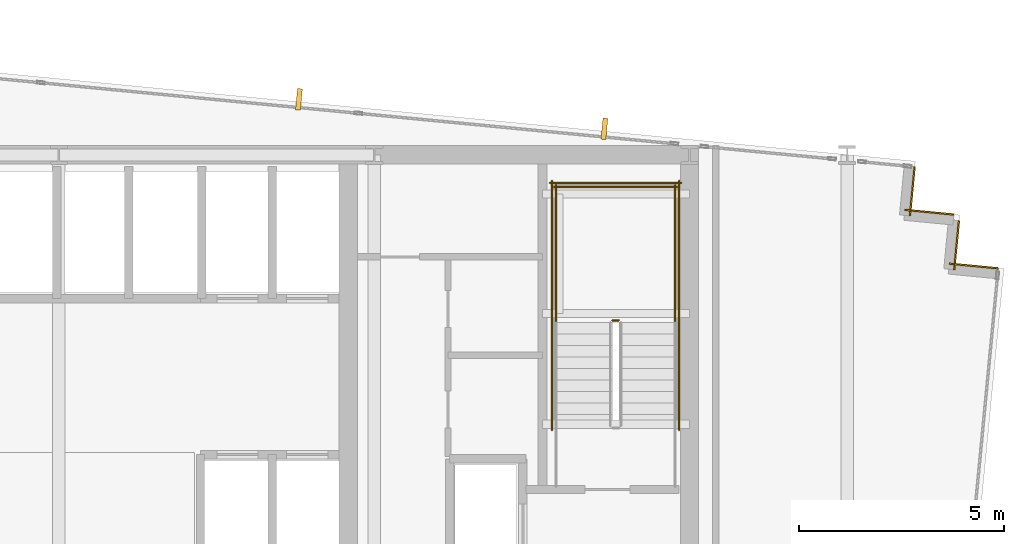
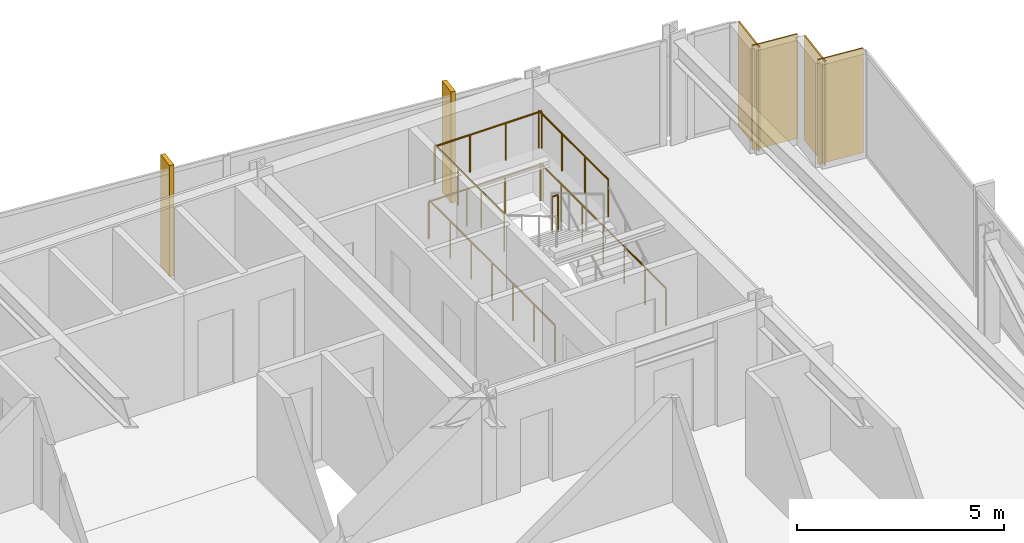
# One storey, part 38 of 38: 7 railings, 4 coverings, 2 shading devices.
"""IFC4 building model written with IfcOpenShell, lengths in metres."""

from ifc_helpers import new_model, si_unit, direction, frame, frame_2d, origin, origin_2d, place, context, subcontext, project, spatial, rectangle, circle, extrude, material, layer, layer_set, type_object, element, save


model = new_model("IFC4")

# Units and contexts
model_context = context("Model", 3, precision=1e-05, world=origin(), true_north=direction((0.0, 1.0)))
body_context = subcontext(model_context, "Body", "Model", "MODEL_VIEW")
ifc_project = project(units=[si_unit("LENGTHUNIT", "METRE"), si_unit("AREAUNIT", "SQUARE_METRE"), si_unit("VOLUMEUNIT", "CUBIC_METRE"), si_unit("PLANEANGLEUNIT", "RADIAN"), si_unit("MASSUNIT", "GRAM", prefix="KILO")], contexts=[model_context])

# Site, building, storey
site_placement = place(None, origin())
site = spatial("IfcSite", under=ifc_project, at=site_placement, CompositionType="ELEMENT")
building_placement = place(site_placement, origin())
building = spatial("IfcBuilding", under=site, at=building_placement, Name="Yelkora Congress Tower", CompositionType="ELEMENT")
storey_placement = place(building_placement, frame((0.0, 0.0, 185.300048828125)))
storey = spatial("IfcBuildingStorey", under=building, at=storey_placement, Name="L51", CompositionType="ELEMENT", Elevation=185.300048828125)

# Coverings
ifc_material_1 = material(Name="Anatolian bush-hammered limestone", Category="masonry")
ifc_layer_1 = layer(ifc_material_1, 0.0400390625)
ifc_layer_set_1 = layer_set([ifc_layer_1], Name="Anatolian bush-hammered limestone")
covering_type = type_object("IfcCoveringType", Name="COV-CLAD-SPANDREL-40", PredefinedType="CLADDING", material=ifc_layer_set_1)
covering_1_placement = place(storey_placement, frame((59.2431640625, 45.909912109375, 0.0), z_axis=(0.0, 0.0, 1.0), x_axis=(-0.095836473879, -0.995397091755, 0.0)))
element("IfcCovering", 1, at=covering_1_placement, inside=storey, type_object=covering_type, Name="L51 Anatolian Limestone Cladding EW-L51-SR11", PredefinedType="CLADDING", context=body_context, shape_type="SweptSolid", body=[
    extrude(rectangle(XDim=1.199951171875, YDim=0.0400390625, at=frame_2d((0.60009765625, 0.0))), origin(), (0.0, 0.0, 1.0), 3.079833984375),
])
for number, where, z_axis, x_axis, name in (
    (2, (59.006591796875, 44.86279296875, 0.0), (0.0, 0.0, 1.0), (0.995398960025, -0.095817067274, 0.0), "L51 Anatolian Limestone Cladding EW-L51-SR12"),
    (3, (60.322509765625, 44.6005859375, 0.0), (0.0, 0.0, 1.0), (-0.095817067274, -0.995398960025, 0.0), "L51 Anatolian Limestone Cladding EW-L51-SR13"),
):
    element("IfcCovering", number, at=place(storey_placement, frame(where, z_axis=z_axis, x_axis=x_axis)), inside=storey, type_object=covering_type, Name=name, PredefinedType="CLADDING", context=body_context, shape_type="SweptSolid", body=[
        extrude(rectangle(XDim=1.2001953125, YDim=0.0400390625, at=frame_2d((0.60009765625, 0.0))), origin(), (0.0, 0.0, 1.0), 3.079833984375),
    ])
covering_2_placement = place(storey_placement, frame((60.086181640625, 43.55322265625, 0.0), z_axis=(0.0, 0.0, 1.0), x_axis=(0.995397091755, -0.095836473879, 0.0)))
element("IfcCovering", 4, at=covering_2_placement, inside=storey, type_object=covering_type, Name="L51 Anatolian Limestone Cladding EW-L51-SR14", PredefinedType="CLADDING", context=body_context, shape_type="SweptSolid", body=[
    extrude(rectangle(XDim=1.199951171875, YDim=0.0400390625, at=frame_2d((0.60009765625, 0.0))), origin(), (0.0, 0.0, 1.0), 3.079833984375),
])

# Railings
ifc_material_2 = material(Name="Painted galvanised steel stair well guard with vertical infill", Category="steel")
ifc_layer_2 = layer(ifc_material_2, 0.06005859375)
ifc_layer_set_2 = layer_set([ifc_layer_2], Name="Painted galvanised steel stair well guard with vertical infill")
railing_type = type_object("IfcRailingType", Name="RAIL-STAIR-GUARD-1120", PredefinedType="GUARDRAIL", material=ifc_layer_set_2)
railing_1_placement = place(storey_placement, frame((52.0400390625, 42.169921875, 1.64990234375)))
element("IfcRailing", 5, at=railing_1_placement, inside=storey, type_object=railing_type, Name="ST-02 L51 Stair Well Guardrail 2", PredefinedType="GUARDRAIL", context=body_context, shape_type="SweptSolid", body=[
    extrude(circle(Radius=0.02392578125, at=origin_2d()), frame((0.0, 0.0, 1.09619140625), z_axis=(-1.0, 0.0, 0.0), x_axis=(0.0, -1.0, 0.0)), (0.0, 0.0, 1.0), 0.16015625),
    extrude(circle(Radius=0.02099609375, at=origin_2d()), origin(), (0.0, 0.0, 1.0), 1.072021484375),
    extrude(circle(Radius=0.02099609375, at=origin_2d()), frame((-0.16015625, 0.0, 0.0)), (0.0, 0.0, 1.0), 1.072021484375),
])
for number, where, name in (
    (6, (53.409912109375, 42.1201171875, 1.64990234375), "ST-02 L51 Stair Well Guardrail 3"),
    (7, (50.510009765625, 42.1201171875, 1.64990234375), "ST-02 L51 Stair Well Guardrail 4"),
):
    element("IfcRailing", number, at=place(storey_placement, frame(where)), inside=storey, type_object=railing_type, Name=name, PredefinedType="GUARDRAIL", context=body_context, shape_type="SweptSolid", body=[
        extrude(circle(Radius=0.02392578125, at=origin_2d()), frame((0.0, 0.0, 1.09619140625), z_axis=(0.0, 1.0, 0.0), x_axis=(-1.0, 0.0, 0.0)), (0.0, 0.0, 1.0), 3.349853515625),
        extrude(circle(Radius=0.02099609375, at=origin_2d()), origin(), (0.0, 0.0, 1.0), 1.072021484375),
        extrude(circle(Radius=0.02099609375, at=origin_2d()), frame((0.0, 1.11669921875, 0.0)), (0.0, 0.0, 1.0), 1.072021484375),
        extrude(circle(Radius=0.02099609375, at=origin_2d()), frame((0.0, 2.233154296875, 0.0)), (0.0, 0.0, 1.0), 1.072021484375),
        extrude(circle(Radius=0.02099609375, at=origin_2d()), frame((0.0, 3.349853515625, 0.0)), (0.0, 0.0, 1.0), 1.072021484375),
    ])
railing_2_placement = place(storey_placement, frame((53.4599609375, 45.419921875, 1.64990234375)))
element("IfcRailing", 8, at=railing_2_placement, inside=storey, type_object=railing_type, Name="ST-02 L51 Stair Well Guardrail 5", PredefinedType="GUARDRAIL", context=body_context, shape_type="SweptSolid", body=[
    extrude(circle(Radius=0.02392578125, at=origin_2d()), frame((0.0, 0.0, 1.09619140625), z_axis=(-1.0, 0.0, 0.0), x_axis=(0.0, -1.0, 0.0)), (0.0, 0.0, 1.0), 3.0),
    extrude(circle(Radius=0.02099609375, at=origin_2d()), origin(), (0.0, 0.0, 1.0), 1.072021484375),
    extrude(circle(Radius=0.02099609375, at=origin_2d()), frame((-1.0, 0.0, 0.0)), (0.0, 0.0, 1.0), 1.072021484375),
    extrude(circle(Radius=0.02099609375, at=origin_2d()), frame((-2.0, 0.0, 0.0)), (0.0, 0.0, 1.0), 1.072021484375),
    extrude(circle(Radius=0.02099609375, at=origin_2d()), frame((-3.0, 0.0, 0.0)), (0.0, 0.0, 1.0), 1.072021484375),
])
for number, where, name in (
    (9, (53.510009765625, 39.5, 0.0), "ST-02 L51 Stair Well Guardrail 10"),
    (10, (50.409912109375, 39.5, 0.0), "ST-02 L51 Stair Well Guardrail 11"),
):
    element("IfcRailing", number, at=place(storey_placement, frame(where)), inside=storey, type_object=railing_type, Name=name, PredefinedType="GUARDRAIL", context=body_context, shape_type="SweptSolid", body=[
        extrude(circle(Radius=0.02392578125, at=origin_2d()), frame((0.0, 0.0, 1.09619140625), z_axis=(0.0, 1.0, 0.0), x_axis=(-1.0, 0.0, 0.0)), (0.0, 0.0, 1.0), 6.070068359375),
        extrude(circle(Radius=0.02099609375, at=origin_2d()), origin(), (0.0, 0.0, 1.0), 1.072021484375),
        extrude(circle(Radius=0.02099609375, at=origin_2d()), frame((0.0, 1.01171875, 0.0)), (0.0, 0.0, 1.0), 1.072021484375),
        extrude(circle(Radius=0.02099609375, at=origin_2d()), frame((0.0, 2.0234375, 0.0)), (0.0, 0.0, 1.0), 1.072021484375),
        extrude(circle(Radius=0.02099609375, at=origin_2d()), frame((0.0, 3.03515625, 0.0)), (0.0, 0.0, 1.0), 1.072021484375),
        extrude(circle(Radius=0.02099609375, at=origin_2d()), frame((0.0, 4.046630859375, 0.0)), (0.0, 0.0, 1.0), 1.072021484375),
        extrude(circle(Radius=0.02099609375, at=origin_2d()), frame((0.0, 5.058349609375, 0.0)), (0.0, 0.0, 1.0), 1.072021484375),
        extrude(circle(Radius=0.02099609375, at=origin_2d()), frame((0.0, 6.070068359375, 0.0)), (0.0, 0.0, 1.0), 1.072021484375),
    ])
railing_3_placement = place(storey_placement, frame((53.56005859375, 45.52001953125, 0.0)))
element("IfcRailing", 11, at=railing_3_placement, inside=storey, type_object=railing_type, Name="ST-02 L51 Stair Well Guardrail 12", PredefinedType="GUARDRAIL", context=body_context, shape_type="SweptSolid", body=[
    extrude(circle(Radius=0.02392578125, at=origin_2d()), frame((0.0, 0.0, 1.09619140625), z_axis=(-1.0, 0.0, 0.0), x_axis=(0.0, -1.0, 0.0)), (0.0, 0.0, 1.0), 3.199951171875),
    extrude(circle(Radius=0.02099609375, at=origin_2d()), origin(), (0.0, 0.0, 1.0), 1.072021484375),
    extrude(circle(Radius=0.02099609375, at=origin_2d()), frame((-1.066650390625, 0.0, 0.0)), (0.0, 0.0, 1.0), 1.072021484375),
    extrude(circle(Radius=0.02099609375, at=origin_2d()), frame((-2.13330078125, 0.0, 0.0)), (0.0, 0.0, 1.0), 1.072021484375),
    extrude(circle(Radius=0.02099609375, at=origin_2d()), frame((-3.199951171875, 0.0, 0.0)), (0.0, 0.0, 1.0), 1.072021484375),
])

# Shading devices
ifc_material_3 = material(Name="Champagne anodised aluminium", Category="aluminium")
ifc_layer_3 = layer(ifc_material_3, 3.300048828125)
ifc_layer_set_3 = layer_set([ifc_layer_3], Name="Champagne anodised aluminium")
shading_device_type = type_object("IfcShadingDeviceType", Name="SHD-FIN-ALU-520", PredefinedType="USERDEFINED", material=ifc_layer_set_3)
for number, where, z_axis, x_axis, name in (
    (12, (44.248291015625, 47.5546875, -0.0302734375), (0.0, 0.0, 1.0), (0.995396198367, -0.09584575252, 0.0), "L51 Vertical Anodised Solar Fin 10-5"),
    (13, (51.68798828125, 46.83837890625, -0.0302734375), (0.0, 0.0, 1.0), (0.995396198367, -0.09584575252, 0.0), "L51 Vertical Anodised Solar Fin 10-6"),
):
    element("IfcShadingDevice", number, at=place(storey_placement, frame(where, z_axis=z_axis, x_axis=x_axis)), inside=storey, type_object=shading_device_type, Name=name, ObjectType="FIN", PredefinedType="USERDEFINED", context=body_context, shape_type="SweptSolid", body=[
        extrude(rectangle(XDim=0.1201171875, YDim=0.52001953125, at=origin_2d()), origin(), (0.0, 0.0, 1.0), 3.280029296875),
    ])

save(model, "model.ifc")
